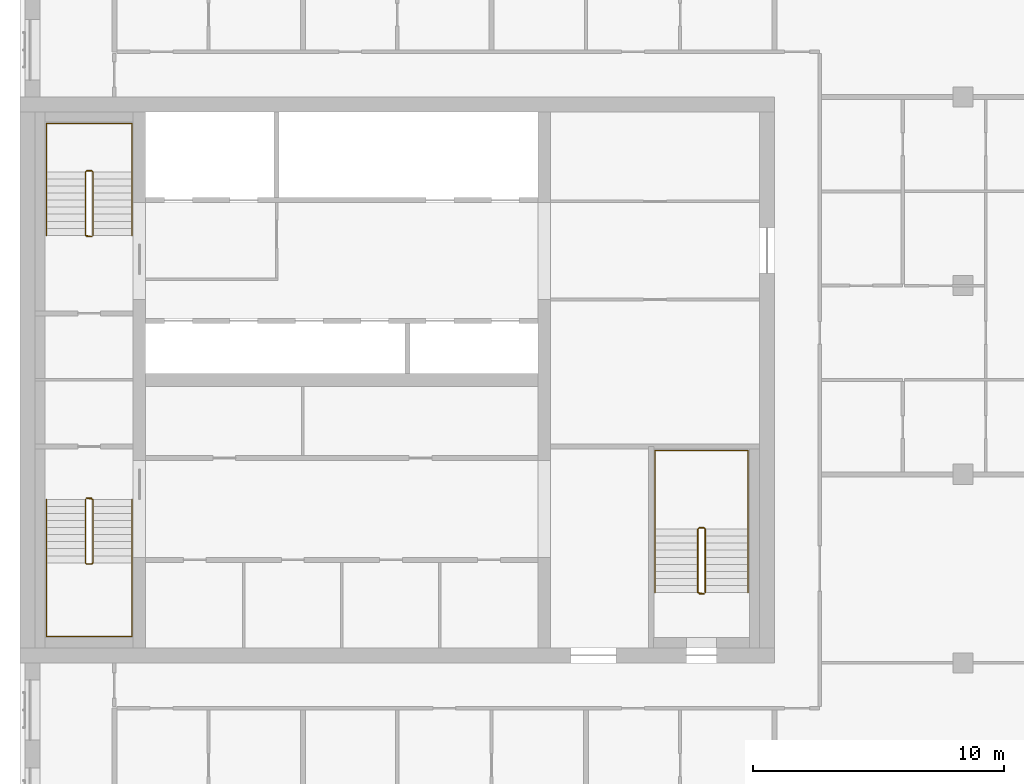
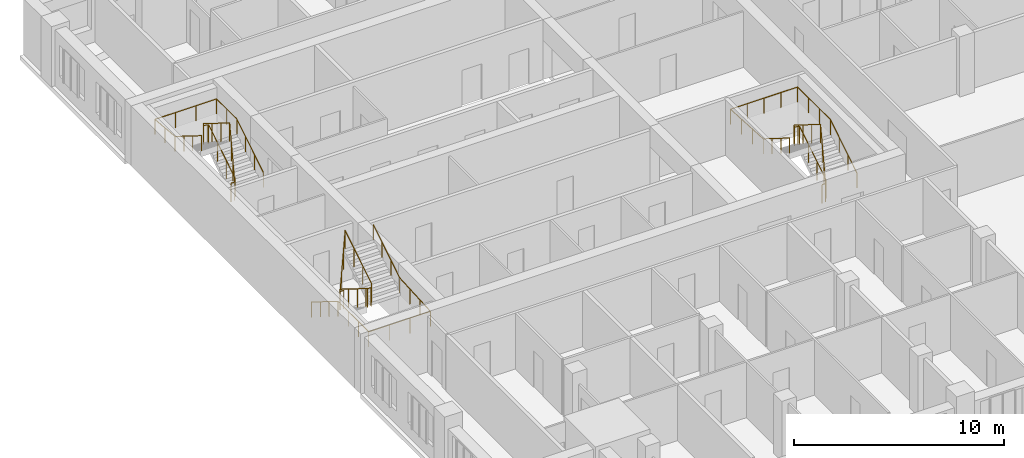
# One storey, part 11 of 11: 6 railings.
"""IFC4 building model written with IfcOpenShell, lengths in metres."""

from ifc_helpers import new_model, si_unit, direction, frame, origin, origin_2d, place, context, subcontext, project, spatial, circle, extrude, material, type_object, element, save


model = new_model("IFC4")

# Units and contexts
model_context = context("Model", 3, precision=1e-05, world=origin(), true_north=direction((0.0, 1.0)))
body_context = subcontext(model_context, "Body", "Model", "MODEL_VIEW")
ifc_project = project(units=[si_unit("LENGTHUNIT", "METRE"), si_unit("AREAUNIT", "SQUARE_METRE"), si_unit("VOLUMEUNIT", "CUBIC_METRE"), si_unit("PLANEANGLEUNIT", "RADIAN"), si_unit("MASSUNIT", "GRAM", prefix="KILO")], contexts=[model_context])

# Site, building, storey
site_placement = place(None, origin())
site = spatial("IfcSite", under=ifc_project, at=site_placement, CompositionType="ELEMENT")
building_placement = place(site_placement, origin())
building = spatial("IfcBuilding", under=site, at=building_placement, Name="Tamorin Gate", CompositionType="ELEMENT")
storey_placement = place(building_placement, frame((0.0, 0.0, 230.199951171875)))
storey = spatial("IfcBuildingStorey", under=building, at=storey_placement, Name="L57", CompositionType="ELEMENT", Elevation=230.199951171875)

# Railings
ifc_material_1 = material(Name="Painted steel balustrade", Category="steel")
railing_type_1 = type_object("IfcRailingType", Name="Stair guard 1100", PredefinedType="GUARDRAIL", material=ifc_material_1)
railing_1_placement = place(storey_placement, frame((32.60009765625, 66.5, 0.175048828125)))
element("IfcRailing", 1, at=railing_1_placement, inside=storey, type_object=railing_type_1, Name="L57 ST1 stair guard 1", PredefinedType="GUARDRAIL", context=body_context, shape_type="SweptSolid", body=[
    extrude(circle(Radius=0.02392578125, at=origin_2d()), frame((0.0, 0.0, 1.076171875), z_axis=(0.0, -0.848007534815, 0.529984170421), x_axis=(1.0, 0.0, 0.0)), (0.0, 0.0, 1.0), 2.9716796875),
    extrude(circle(Radius=0.02392578125, at=origin_2d()), frame((0.0, -2.52001953125, 2.65087890625), z_axis=(0.705375805398, -0.708833529934, 0.0), x_axis=(0.708833529934, 0.705375805398, 0.0)), (0.0, 0.0, 1.0), 0.070556640625),
    extrude(circle(Radius=0.02392578125, at=origin_2d()), frame((0.0498046875, -2.570068359375, 2.65087890625), z_axis=(1.0, 0.0, 0.0), x_axis=(0.0, 1.0, 0.0)), (0.0, 0.0, 1.0), 0.2001953125),
    extrude(circle(Radius=0.02392578125, at=origin_2d()), frame((0.25, -2.570068359375, 2.65087890625), z_axis=(0.263862480399, 0.265155923931, 0.927399011991), x_axis=(-0.708833529934, 0.705375805398, 0.0)), (0.0, 0.0, 1.0), 0.188720703125),
    extrude(circle(Radius=0.02392578125, at=origin_2d()), frame((0.2998046875, -2.52001953125, 2.826171875), z_axis=(0.0, 0.848007534815, 0.529984170421), x_axis=(-1.0, 0.0, 0.0)), (0.0, 0.0, 1.0), 2.9716796875),
    extrude(circle(Radius=0.02392578125, at=origin_2d()), frame((0.2998046875, 0.0, 4.40087890625), z_axis=(-0.071239803756, 0.014261874775, -0.997357252587), x_axis=(-0.196300278283, -0.98054382908, 0.0)), (0.0, 0.0, 1.0), 3.50927734375),
    extrude(circle(Radius=0.02392578125, at=origin_2d()), frame((0.0498046875, 0.050048828125, 0.90087890625), z_axis=(1.0, 0.0, 0.0), x_axis=(0.0, 1.0, 0.0)), (0.0, 0.0, 1.0), 0.2001953125),
    extrude(circle(Radius=0.02099609375, at=origin_2d()), origin(), (0.0, 0.0, 1.0), 1.052001953125),
    extrude(circle(Radius=0.02099609375, at=origin_2d()), frame((0.0, -0.840087890625, 0.52490234375)), (0.0, 0.0, 1.0), 1.052001953125),
    extrude(circle(Radius=0.02099609375, at=origin_2d()), frame((0.0, -1.679931640625, 1.050048828125)), (0.0, 0.0, 1.0), 1.052001953125),
    extrude(circle(Radius=0.02099609375, at=origin_2d()), frame((0.0, -2.52001953125, 1.574951171875)), (0.0, 0.0, 1.0), 1.052001953125),
    extrude(circle(Radius=0.02099609375, at=origin_2d()), frame((0.0498046875, -2.570068359375, 1.574951171875)), (0.0, 0.0, 1.0), 1.052001953125),
    extrude(circle(Radius=0.02099609375, at=origin_2d()), frame((0.25, -2.570068359375, 1.574951171875)), (0.0, 0.0, 1.0), 1.052001953125),
    extrude(circle(Radius=0.02099609375, at=origin_2d()), frame((0.2998046875, -2.52001953125, 1.75)), (0.0, 0.0, 1.0), 1.052001953125),
    extrude(circle(Radius=0.02099609375, at=origin_2d()), frame((0.2998046875, -1.679931640625, 2.27490234375)), (0.0, 0.0, 1.0), 1.052001953125),
    extrude(circle(Radius=0.02099609375, at=origin_2d()), frame((0.2998046875, -0.840087890625, 2.800048828125)), (0.0, 0.0, 1.0), 1.052001953125),
    extrude(circle(Radius=0.02099609375, at=origin_2d()), frame((0.2998046875, 0.0, 3.324951171875)), (0.0, 0.0, 1.0), 1.052001953125),
    extrude(circle(Radius=0.02099609375, at=origin_2d()), frame((0.216552734375, 0.0166015625, 2.158203125)), (0.0, 0.0, 1.0), 1.052001953125),
    extrude(circle(Radius=0.02099609375, at=origin_2d()), frame((0.133056640625, 0.033447265625, 0.99169921875)), (0.0, 0.0, 1.0), 1.052001953125),
    extrude(circle(Radius=0.02099609375, at=origin_2d()), frame((0.0498046875, 0.050048828125, -0.175048828125)), (0.0, 0.0, 1.0), 1.052001953125),
    extrude(circle(Radius=0.02099609375, at=origin_2d()), frame((0.25, 0.050048828125, -0.175048828125)), (0.0, 0.0, 1.0), 1.052001953125),
])
railing_2_placement = place(storey_placement, frame((32.89990234375, 77.0, 0.175048828125)))
element("IfcRailing", 2, at=railing_2_placement, inside=storey, type_object=railing_type_1, Name="L57 ST2 stair guard 1", PredefinedType="GUARDRAIL", context=body_context, shape_type="SweptSolid", body=[
    extrude(circle(Radius=0.02392578125, at=origin_2d()), frame((0.0, 0.0, 1.076171875), z_axis=(0.0, 0.848007534815, 0.529984170421), x_axis=(-1.0, 0.0, 0.0)), (0.0, 0.0, 1.0), 2.9716796875),
    extrude(circle(Radius=0.02392578125, at=origin_2d()), frame((0.0, 2.52001953125, 2.65087890625), z_axis=(-0.705375805398, 0.708833529934, 0.0), x_axis=(-0.708833529934, -0.705375805398, 0.0)), (0.0, 0.0, 1.0), 0.070556640625),
    extrude(circle(Radius=0.02392578125, at=origin_2d()), frame((-0.0498046875, 2.570068359375, 2.65087890625), z_axis=(-1.0, 0.0, 0.0), x_axis=(0.0, -1.0, 0.0)), (0.0, 0.0, 1.0), 0.2001953125),
    extrude(circle(Radius=0.02392578125, at=origin_2d()), frame((-0.25, 2.570068359375, 2.65087890625), z_axis=(-0.263862480399, -0.265155923931, 0.927399011991), x_axis=(0.708833529934, -0.705375805398, 0.0)), (0.0, 0.0, 1.0), 0.188720703125),
    extrude(circle(Radius=0.02392578125, at=origin_2d()), frame((-0.2998046875, 2.52001953125, 2.826171875), z_axis=(0.0, -0.848007534815, 0.529984170421), x_axis=(1.0, 0.0, 0.0)), (0.0, 0.0, 1.0), 2.9716796875),
    extrude(circle(Radius=0.02392578125, at=origin_2d()), frame((-0.2998046875, 0.0, 4.40087890625), z_axis=(0.071239803756, -0.014261874775, -0.997357252587), x_axis=(0.196300278283, 0.98054382908, 0.0)), (0.0, 0.0, 1.0), 3.50927734375),
    extrude(circle(Radius=0.02392578125, at=origin_2d()), frame((-0.0498046875, -0.050048828125, 0.90087890625), z_axis=(-1.0, 0.0, 0.0), x_axis=(0.0, -1.0, 0.0)), (0.0, 0.0, 1.0), 0.2001953125),
    extrude(circle(Radius=0.02099609375, at=origin_2d()), origin(), (0.0, 0.0, 1.0), 1.052001953125),
    extrude(circle(Radius=0.02099609375, at=origin_2d()), frame((0.0, 0.840087890625, 0.52490234375)), (0.0, 0.0, 1.0), 1.052001953125),
    extrude(circle(Radius=0.02099609375, at=origin_2d()), frame((0.0, 1.679931640625, 1.050048828125)), (0.0, 0.0, 1.0), 1.052001953125),
    extrude(circle(Radius=0.02099609375, at=origin_2d()), frame((0.0, 2.52001953125, 1.574951171875)), (0.0, 0.0, 1.0), 1.052001953125),
    extrude(circle(Radius=0.02099609375, at=origin_2d()), frame((-0.0498046875, 2.570068359375, 1.574951171875)), (0.0, 0.0, 1.0), 1.052001953125),
    extrude(circle(Radius=0.02099609375, at=origin_2d()), frame((-0.25, 2.570068359375, 1.574951171875)), (0.0, 0.0, 1.0), 1.052001953125),
    extrude(circle(Radius=0.02099609375, at=origin_2d()), frame((-0.2998046875, 2.52001953125, 1.75)), (0.0, 0.0, 1.0), 1.052001953125),
    extrude(circle(Radius=0.02099609375, at=origin_2d()), frame((-0.2998046875, 1.679931640625, 2.27490234375)), (0.0, 0.0, 1.0), 1.052001953125),
    extrude(circle(Radius=0.02099609375, at=origin_2d()), frame((-0.2998046875, 0.840087890625, 2.800048828125)), (0.0, 0.0, 1.0), 1.052001953125),
    extrude(circle(Radius=0.02099609375, at=origin_2d()), frame((-0.2998046875, 0.0, 3.324951171875)), (0.0, 0.0, 1.0), 1.052001953125),
    extrude(circle(Radius=0.02099609375, at=origin_2d()), frame((-0.216552734375, -0.0166015625, 2.158203125)), (0.0, 0.0, 1.0), 1.052001953125),
    extrude(circle(Radius=0.02099609375, at=origin_2d()), frame((-0.133056640625, -0.033447265625, 0.99169921875)), (0.0, 0.0, 1.0), 1.052001953125),
    extrude(circle(Radius=0.02099609375, at=origin_2d()), frame((-0.0498046875, -0.050048828125, -0.175048828125)), (0.0, 0.0, 1.0), 1.052001953125),
    extrude(circle(Radius=0.02099609375, at=origin_2d()), frame((-0.25, -0.050048828125, -0.175048828125)), (0.0, 0.0, 1.0), 1.052001953125),
])
railing_3_placement = place(storey_placement, frame((57.25, 62.800048828125, 0.175048828125)))
element("IfcRailing", 3, at=railing_3_placement, inside=storey, type_object=railing_type_1, Name="L57 ST3 stair guard 1", PredefinedType="GUARDRAIL", context=body_context, shape_type="SweptSolid", body=[
    extrude(circle(Radius=0.02392578125, at=origin_2d()), frame((0.0, 0.0, 1.076171875), z_axis=(0.0, 0.848007534815, 0.529984170421), x_axis=(-1.0, 0.0, 0.0)), (0.0, 0.0, 1.0), 2.9716796875),
    extrude(circle(Radius=0.02392578125, at=origin_2d()), frame((0.0, 2.52001953125, 2.65087890625), z_axis=(-0.707106781187, 0.707106781187, 0.0), x_axis=(-0.707106781187, -0.707106781187, 0.0)), (0.0, 0.0, 1.0), 0.07080078125),
    extrude(circle(Radius=0.02392578125, at=origin_2d()), frame((-0.050048828125, 2.570068359375, 2.65087890625), z_axis=(-1.0, 0.0, 0.0), x_axis=(0.0, -1.0, 0.0)), (0.0, 0.0, 1.0), 0.199951171875),
    extrude(circle(Radius=0.02392578125, at=origin_2d()), frame((-0.25, 2.570068359375, 2.65087890625), z_axis=(-0.265065253269, -0.265065253269, 0.927081885822), x_axis=(0.707106781187, -0.707106781187, 0.0)), (0.0, 0.0, 1.0), 0.188720703125),
    extrude(circle(Radius=0.02392578125, at=origin_2d()), frame((-0.300048828125, 2.52001953125, 2.826171875), z_axis=(0.0, -0.848007534815, 0.529984170421), x_axis=(1.0, 0.0, 0.0)), (0.0, 0.0, 1.0), 2.9716796875),
    extrude(circle(Radius=0.02392578125, at=origin_2d()), frame((-0.300048828125, 0.0, 4.40087890625), z_axis=(0.071239803756, -0.014261874775, -0.997357252587), x_axis=(0.196300278283, 0.98054382908, 0.0)), (0.0, 0.0, 1.0), 3.50927734375),
    extrude(circle(Radius=0.02392578125, at=origin_2d()), frame((-0.050048828125, -0.050048828125, 0.90087890625), z_axis=(-1.0, 0.0, 0.0), x_axis=(0.0, -1.0, 0.0)), (0.0, 0.0, 1.0), 0.199951171875),
    extrude(circle(Radius=0.02099609375, at=origin_2d()), origin(), (0.0, 0.0, 1.0), 1.052001953125),
    extrude(circle(Radius=0.02099609375, at=origin_2d()), frame((0.0, 0.840087890625, 0.52490234375)), (0.0, 0.0, 1.0), 1.052001953125),
    extrude(circle(Radius=0.02099609375, at=origin_2d()), frame((0.0, 1.679931640625, 1.050048828125)), (0.0, 0.0, 1.0), 1.052001953125),
    extrude(circle(Radius=0.02099609375, at=origin_2d()), frame((0.0, 2.52001953125, 1.574951171875)), (0.0, 0.0, 1.0), 1.052001953125),
    extrude(circle(Radius=0.02099609375, at=origin_2d()), frame((-0.050048828125, 2.570068359375, 1.574951171875)), (0.0, 0.0, 1.0), 1.052001953125),
    extrude(circle(Radius=0.02099609375, at=origin_2d()), frame((-0.25, 2.570068359375, 1.574951171875)), (0.0, 0.0, 1.0), 1.052001953125),
    extrude(circle(Radius=0.02099609375, at=origin_2d()), frame((-0.300048828125, 2.52001953125, 1.75)), (0.0, 0.0, 1.0), 1.052001953125),
    extrude(circle(Radius=0.02099609375, at=origin_2d()), frame((-0.300048828125, 1.679931640625, 2.27490234375)), (0.0, 0.0, 1.0), 1.052001953125),
    extrude(circle(Radius=0.02099609375, at=origin_2d()), frame((-0.300048828125, 0.840087890625, 2.800048828125)), (0.0, 0.0, 1.0), 1.052001953125),
    extrude(circle(Radius=0.02099609375, at=origin_2d()), frame((-0.300048828125, 0.0, 3.324951171875)), (0.0, 0.0, 1.0), 1.052001953125),
    extrude(circle(Radius=0.02099609375, at=origin_2d()), frame((-0.216796875, -0.0166015625, 2.158203125)), (0.0, 0.0, 1.0), 1.052001953125),
    extrude(circle(Radius=0.02099609375, at=origin_2d()), frame((-0.13330078125, -0.033447265625, 0.99169921875)), (0.0, 0.0, 1.0), 1.052001953125),
    extrude(circle(Radius=0.02099609375, at=origin_2d()), frame((-0.050048828125, -0.050048828125, -0.175048828125)), (0.0, 0.0, 1.0), 1.052001953125),
    extrude(circle(Radius=0.02099609375, at=origin_2d()), frame((-0.25, -0.050048828125, -0.175048828125)), (0.0, 0.0, 1.0), 1.052001953125),
])
ifc_material_2 = material(Name="Painted steel handrail", Category="steel")
railing_type_2 = type_object("IfcRailingType", Name="Stair handrail 900", PredefinedType="HANDRAIL", material=ifc_material_2)
railing_4_placement = place(storey_placement, frame((31.050048828125, 66.5, 0.175048828125)))
element("IfcRailing", 4, at=railing_4_placement, inside=storey, type_object=railing_type_2, Name="L57 ST1 stair handrail 1", PredefinedType="HANDRAIL", context=body_context, shape_type="SweptSolid", body=[
    extrude(circle(Radius=0.02392578125, at=origin_2d()), frame((0.0, 0.0, 0.8759765625), z_axis=(0.0, -0.848007534815, 0.529984170421), x_axis=(1.0, 0.0, 0.0)), (0.0, 0.0, 1.0), 2.9716796875),
    extrude(circle(Radius=0.02392578125, at=origin_2d()), frame((0.0, -2.52001953125, 2.45068359375), z_axis=(0.0, -1.0, 0.0), x_axis=(1.0, 0.0, 0.0)), (0.0, 0.0, 1.0), 2.929931640625),
    extrude(circle(Radius=0.02392578125, at=origin_2d()), frame((0.0, -5.449951171875, 2.45068359375), z_axis=(1.0, 0.0, 0.0), x_axis=(0.0, 1.0, 0.0)), (0.0, 0.0, 1.0), 3.39990234375),
    extrude(circle(Radius=0.02392578125, at=origin_2d()), frame((3.39990234375, -5.449951171875, 2.45068359375), z_axis=(0.0, 0.998220029962, 0.0596386769), x_axis=(-1.0, 0.0, 0.0)), (0.0, 0.0, 1.0), 2.93505859375),
    extrude(circle(Radius=0.02392578125, at=origin_2d()), frame((3.39990234375, -2.52001953125, 2.6259765625), z_axis=(0.0, 0.848007534815, 0.529984170421), x_axis=(-1.0, 0.0, 0.0)), (0.0, 0.0, 1.0), 2.9716796875),
    extrude(circle(Radius=0.02099609375, at=origin_2d()), origin(), (0.0, 0.0, 1.0), 0.851806640625),
    extrude(circle(Radius=0.02099609375, at=origin_2d()), frame((0.0, -0.840087890625, 0.52490234375)), (0.0, 0.0, 1.0), 0.851806640625),
    extrude(circle(Radius=0.02099609375, at=origin_2d()), frame((0.0, -1.679931640625, 1.050048828125)), (0.0, 0.0, 1.0), 0.851806640625),
    extrude(circle(Radius=0.02099609375, at=origin_2d()), frame((0.0, -2.52001953125, 1.574951171875)), (0.0, 0.0, 1.0), 0.851806640625),
    extrude(circle(Radius=0.02099609375, at=origin_2d()), frame((0.0, -3.49658203125, 1.574951171875)), (0.0, 0.0, 1.0), 0.851806640625),
    extrude(circle(Radius=0.02099609375, at=origin_2d()), frame((0.0, -4.473388671875, 1.574951171875)), (0.0, 0.0, 1.0), 0.851806640625),
    extrude(circle(Radius=0.02099609375, at=origin_2d()), frame((0.0, -5.449951171875, 1.574951171875)), (0.0, 0.0, 1.0), 0.851806640625),
    extrude(circle(Radius=0.02099609375, at=origin_2d()), frame((1.13330078125, -5.449951171875, 1.574951171875)), (0.0, 0.0, 1.0), 0.851806640625),
    extrude(circle(Radius=0.02099609375, at=origin_2d()), frame((2.2666015625, -5.449951171875, 1.574951171875)), (0.0, 0.0, 1.0), 0.851806640625),
    extrude(circle(Radius=0.02099609375, at=origin_2d()), frame((3.39990234375, -5.449951171875, 1.574951171875)), (0.0, 0.0, 1.0), 0.851806640625),
    extrude(circle(Radius=0.02099609375, at=origin_2d()), frame((3.39990234375, -4.473388671875, 1.63330078125)), (0.0, 0.0, 1.0), 0.851806640625),
    extrude(circle(Radius=0.02099609375, at=origin_2d()), frame((3.39990234375, -3.49658203125, 1.691650390625)), (0.0, 0.0, 1.0), 0.851806640625),
    extrude(circle(Radius=0.02099609375, at=origin_2d()), frame((3.39990234375, -2.52001953125, 1.75)), (0.0, 0.0, 1.0), 0.851806640625),
    extrude(circle(Radius=0.02099609375, at=origin_2d()), frame((3.39990234375, -1.679931640625, 2.27490234375)), (0.0, 0.0, 1.0), 0.851806640625),
    extrude(circle(Radius=0.02099609375, at=origin_2d()), frame((3.39990234375, -0.840087890625, 2.800048828125)), (0.0, 0.0, 1.0), 0.851806640625),
    extrude(circle(Radius=0.02099609375, at=origin_2d()), frame((3.39990234375, 0.0, 3.324951171875)), (0.0, 0.0, 1.0), 0.851806640625),
])
railing_5_placement = place(storey_placement, frame((34.449951171875, 77.0, 0.175048828125)))
element("IfcRailing", 5, at=railing_5_placement, inside=storey, type_object=railing_type_2, Name="L57 ST2 stair handrail 1", PredefinedType="HANDRAIL", context=body_context, shape_type="SweptSolid", body=[
    extrude(circle(Radius=0.02392578125, at=origin_2d()), frame((0.0, 0.0, 0.8759765625), z_axis=(0.0, 0.848007534815, 0.529984170421), x_axis=(-1.0, 0.0, 0.0)), (0.0, 0.0, 1.0), 2.9716796875),
    extrude(circle(Radius=0.02392578125, at=origin_2d()), frame((0.0, 2.52001953125, 2.45068359375), z_axis=(0.0, 1.0, 0.0), x_axis=(-1.0, 0.0, 0.0)), (0.0, 0.0, 1.0), 1.929931640625),
    extrude(circle(Radius=0.02392578125, at=origin_2d()), frame((0.0, 4.449951171875, 2.45068359375), z_axis=(-1.0, 0.0, 0.0), x_axis=(0.0, -1.0, 0.0)), (0.0, 0.0, 1.0), 3.39990234375),
    extrude(circle(Radius=0.02392578125, at=origin_2d()), frame((-3.39990234375, 4.449951171875, 2.45068359375), z_axis=(0.0, -0.995911773435, 0.090331276604), x_axis=(1.0, 0.0, 0.0)), (0.0, 0.0, 1.0), 1.937744140625),
    extrude(circle(Radius=0.02392578125, at=origin_2d()), frame((-3.39990234375, 2.52001953125, 2.6259765625), z_axis=(0.0, -0.848007534815, 0.529984170421), x_axis=(1.0, 0.0, 0.0)), (0.0, 0.0, 1.0), 2.9716796875),
    extrude(circle(Radius=0.02099609375, at=origin_2d()), origin(), (0.0, 0.0, 1.0), 0.851806640625),
    extrude(circle(Radius=0.02099609375, at=origin_2d()), frame((0.0, 0.840087890625, 0.52490234375)), (0.0, 0.0, 1.0), 0.851806640625),
    extrude(circle(Radius=0.02099609375, at=origin_2d()), frame((0.0, 1.679931640625, 1.050048828125)), (0.0, 0.0, 1.0), 0.851806640625),
    extrude(circle(Radius=0.02099609375, at=origin_2d()), frame((0.0, 2.52001953125, 1.574951171875)), (0.0, 0.0, 1.0), 0.851806640625),
    extrude(circle(Radius=0.02099609375, at=origin_2d()), frame((0.0, 3.48486328125, 1.574951171875)), (0.0, 0.0, 1.0), 0.851806640625),
    extrude(circle(Radius=0.02099609375, at=origin_2d()), frame((0.0, 4.449951171875, 1.574951171875)), (0.0, 0.0, 1.0), 0.851806640625),
    extrude(circle(Radius=0.02099609375, at=origin_2d()), frame((-1.13330078125, 4.449951171875, 1.574951171875)), (0.0, 0.0, 1.0), 0.851806640625),
    extrude(circle(Radius=0.02099609375, at=origin_2d()), frame((-2.2666015625, 4.449951171875, 1.574951171875)), (0.0, 0.0, 1.0), 0.851806640625),
    extrude(circle(Radius=0.02099609375, at=origin_2d()), frame((-3.39990234375, 4.449951171875, 1.574951171875)), (0.0, 0.0, 1.0), 0.851806640625),
    extrude(circle(Radius=0.02099609375, at=origin_2d()), frame((-3.39990234375, 3.48486328125, 1.66259765625)), (0.0, 0.0, 1.0), 0.851806640625),
    extrude(circle(Radius=0.02099609375, at=origin_2d()), frame((-3.39990234375, 2.52001953125, 1.75)), (0.0, 0.0, 1.0), 0.851806640625),
    extrude(circle(Radius=0.02099609375, at=origin_2d()), frame((-3.39990234375, 1.679931640625, 2.27490234375)), (0.0, 0.0, 1.0), 0.851806640625),
    extrude(circle(Radius=0.02099609375, at=origin_2d()), frame((-3.39990234375, 0.840087890625, 2.800048828125)), (0.0, 0.0, 1.0), 0.851806640625),
    extrude(circle(Radius=0.02099609375, at=origin_2d()), frame((-3.39990234375, 0.0, 3.324951171875)), (0.0, 0.0, 1.0), 0.851806640625),
])
railing_6_placement = place(storey_placement, frame((58.949951171875, 62.800048828125, 0.175048828125)))
element("IfcRailing", 6, at=railing_6_placement, inside=storey, type_object=railing_type_2, Name="L57 ST3 stair handrail 1", PredefinedType="HANDRAIL", context=body_context, shape_type="SweptSolid", body=[
    extrude(circle(Radius=0.02392578125, at=origin_2d()), frame((0.0, 0.0, 0.8759765625), z_axis=(0.0, 0.848007534815, 0.529984170421), x_axis=(-1.0, 0.0, 0.0)), (0.0, 0.0, 1.0), 2.9716796875),
    extrude(circle(Radius=0.02392578125, at=origin_2d()), frame((0.0, 2.52001953125, 2.45068359375), z_axis=(0.0, 1.0, 0.0), x_axis=(-1.0, 0.0, 0.0)), (0.0, 0.0, 1.0), 3.1298828125),
    extrude(circle(Radius=0.02392578125, at=origin_2d()), frame((0.0, 5.64990234375, 2.45068359375), z_axis=(-1.0, 0.0, 0.0), x_axis=(0.0, -1.0, 0.0)), (0.0, 0.0, 1.0), 3.699951171875),
    extrude(circle(Radius=0.02392578125, at=origin_2d()), frame((-3.699951171875, 5.64990234375, 2.45068359375), z_axis=(0.0, -0.998439675676, 0.055840970941), x_axis=(1.0, 0.0, 0.0)), (0.0, 0.0, 1.0), 3.134765625),
    extrude(circle(Radius=0.02392578125, at=origin_2d()), frame((-3.699951171875, 2.52001953125, 2.6259765625), z_axis=(0.0, -0.848007534815, 0.529984170421), x_axis=(1.0, 0.0, 0.0)), (0.0, 0.0, 1.0), 2.9716796875),
    extrude(circle(Radius=0.02099609375, at=origin_2d()), origin(), (0.0, 0.0, 1.0), 0.851806640625),
    extrude(circle(Radius=0.02099609375, at=origin_2d()), frame((0.0, 0.840087890625, 0.52490234375)), (0.0, 0.0, 1.0), 0.851806640625),
    extrude(circle(Radius=0.02099609375, at=origin_2d()), frame((0.0, 1.679931640625, 1.050048828125)), (0.0, 0.0, 1.0), 0.851806640625),
    extrude(circle(Radius=0.02099609375, at=origin_2d()), frame((0.0, 2.52001953125, 1.574951171875)), (0.0, 0.0, 1.0), 0.851806640625),
    extrude(circle(Radius=0.02099609375, at=origin_2d()), frame((0.0, 3.563232421875, 1.574951171875)), (0.0, 0.0, 1.0), 0.851806640625),
    extrude(circle(Radius=0.02099609375, at=origin_2d()), frame((0.0, 4.606689453125, 1.574951171875)), (0.0, 0.0, 1.0), 0.851806640625),
    extrude(circle(Radius=0.02099609375, at=origin_2d()), frame((0.0, 5.64990234375, 1.574951171875)), (0.0, 0.0, 1.0), 0.851806640625),
    extrude(circle(Radius=0.02099609375, at=origin_2d()), frame((-0.925048828125, 5.64990234375, 1.574951171875)), (0.0, 0.0, 1.0), 0.851806640625),
    extrude(circle(Radius=0.02099609375, at=origin_2d()), frame((-1.85009765625, 5.64990234375, 1.574951171875)), (0.0, 0.0, 1.0), 0.851806640625),
    extrude(circle(Radius=0.02099609375, at=origin_2d()), frame((-2.77490234375, 5.64990234375, 1.574951171875)), (0.0, 0.0, 1.0), 0.851806640625),
    extrude(circle(Radius=0.02099609375, at=origin_2d()), frame((-3.699951171875, 5.64990234375, 1.574951171875)), (0.0, 0.0, 1.0), 0.851806640625),
    extrude(circle(Radius=0.02099609375, at=origin_2d()), frame((-3.699951171875, 4.606689453125, 1.63330078125)), (0.0, 0.0, 1.0), 0.851806640625),
    extrude(circle(Radius=0.02099609375, at=origin_2d()), frame((-3.699951171875, 3.563232421875, 1.691650390625)), (0.0, 0.0, 1.0), 0.851806640625),
    extrude(circle(Radius=0.02099609375, at=origin_2d()), frame((-3.699951171875, 2.52001953125, 1.75)), (0.0, 0.0, 1.0), 0.851806640625),
    extrude(circle(Radius=0.02099609375, at=origin_2d()), frame((-3.699951171875, 1.679931640625, 2.27490234375)), (0.0, 0.0, 1.0), 0.851806640625),
    extrude(circle(Radius=0.02099609375, at=origin_2d()), frame((-3.699951171875, 0.840087890625, 2.800048828125)), (0.0, 0.0, 1.0), 0.851806640625),
    extrude(circle(Radius=0.02099609375, at=origin_2d()), frame((-3.699951171875, 0.0, 3.324951171875)), (0.0, 0.0, 1.0), 0.851806640625),
])

save(model, "model.ifc")
